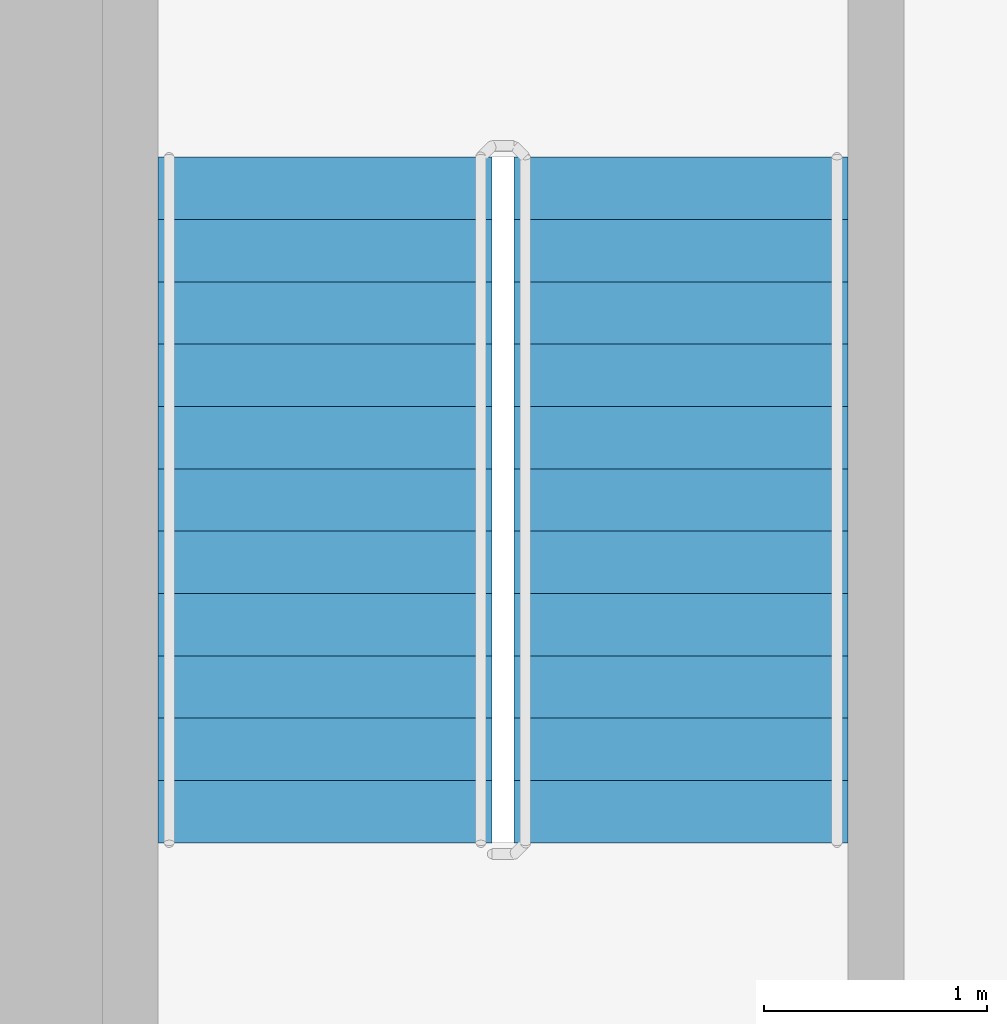
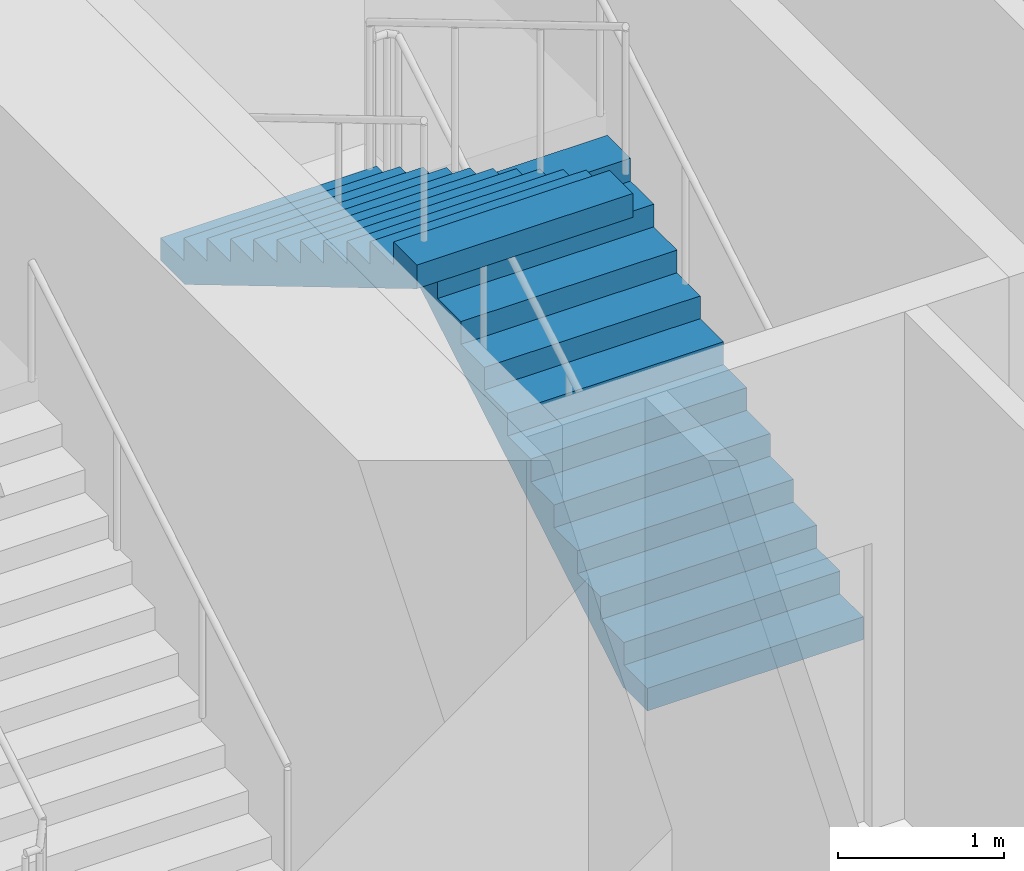
# One storey, part 18 of 27: 2 stair flights, 1 element without a shape of its own.
"""IFC4 building model written with IfcOpenShell, lengths in metres."""

import ifcopenshell
import ifcopenshell.guid

model = None  # the IFC model being written
_history = None  # IfcOwnerHistory: only IFC2X3 demands one
_inside = {}  # id of a spatial element -> (the spatial element, [elements in it])
_under = {}  # id of a project, library or spatial element -> (it, [spatial elements below it])
_declared = {}  # id of a project -> (the project, [libraries it declares])
_typed = {}  # id of a type object -> (the type object, [elements of that type])
_made_of = {}  # id of a material, layer set ... -> (it, [elements and type objects made of it])


def new_model(schema):
    """Start an empty IFC model of exactly this schema.

    Asked for "IFC4X3", IfcOpenShell would pick the latest addendum, in which some entities
    have other attributes; the version numbers below select the first issue.
    IFC2X3 requires an IfcOwnerHistory on every rooted entity: one is made here for all.
    """
    global model, _history
    if schema == "IFC4X3":
        model = ifcopenshell.file(schema_version=(4, 3, 0, 0))
    else:
        model = ifcopenshell.file(schema=schema)
    _inside.clear()
    _under.clear()
    _declared.clear()
    _typed.clear()
    _made_of.clear()
    _history = None
    if model.schema == "IFC2X3":
        org = make("IfcOrganization", Name="unknown")
        user = make(
            "IfcPersonAndOrganization",
            ThePerson=make("IfcPerson", FamilyName="unknown"),
            TheOrganization=org,
        )
        app = make(
            "IfcApplication",
            ApplicationDeveloper=org,
            Version="unknown",
            ApplicationFullName="unknown",
            ApplicationIdentifier="unknown",
        )
        _history = make(
            "IfcOwnerHistory",
            OwningUser=user,
            OwningApplication=app,
            ChangeAction="ADDED",
            CreationDate=0,
        )
    return model


def make(cls, **values):
    """One entity of the class cls with the attributes given. An attribute that is None is left unset."""
    return model.create_entity(
        cls, **{name: value for name, value in values.items() if value is not None}
    )


def rooted(cls, **values):
    """An entity with a GlobalId (a new one), such as an element, a storey or a relation."""
    return make(cls, GlobalId=ifcopenshell.guid.new(), OwnerHistory=_history, **values)


def si_unit(unit_type, name, prefix=None):
    """IfcSIUnit, for example si_unit("LENGTHUNIT", "METRE", prefix="MILLI")."""
    return make("IfcSIUnit", UnitType=unit_type, Prefix=prefix, Name=name)


def assignment(units):
    """IfcUnitAssignment: the units of a project."""
    return None if units is None else make("IfcUnitAssignment", Units=units)


def point(xyz):
    """IfcCartesianPoint."""
    return None if xyz is None else make("IfcCartesianPoint", Coordinates=xyz)


def direction(xyz):
    """IfcDirection."""
    return None if xyz is None else make("IfcDirection", DirectionRatios=xyz)


def frame(location, z_axis=None, x_axis=None):
    """IfcAxis2Placement3D, a coordinate frame: its origin and axes. An axis left out is left unset."""
    return make(
        "IfcAxis2Placement3D",
        Location=point(location),
        Axis=direction(z_axis),
        RefDirection=direction(x_axis),
    )


def origin():
    """The frame at (0, 0, 0) with its axes left unset."""
    return frame((0.0, 0.0, 0.0))


def place(relative_to, where):
    """IfcLocalPlacement: puts the frame where relative to a parent placement (None: the world)."""
    return make(
        "IfcLocalPlacement", PlacementRelTo=relative_to, RelativePlacement=where
    )


def context(
    kind, dimensions, precision=None, world=None, true_north=None, identifier=None
):
    """IfcGeometricRepresentationContext, for example the 3D "Model" context."""
    return make(
        "IfcGeometricRepresentationContext",
        ContextIdentifier=identifier,
        ContextType=kind,
        CoordinateSpaceDimension=dimensions,
        Precision=precision,
        WorldCoordinateSystem=world,
        TrueNorth=true_north,
    )


def subcontext(parent, identifier, kind, view, scale=None):
    """IfcGeometricRepresentationSubContext, for example "Body" below "Model"."""
    return make(
        "IfcGeometricRepresentationSubContext",
        ContextIdentifier=identifier,
        ContextType=kind,
        ParentContext=parent,
        TargetScale=scale,
        TargetView=view,
    )


def project(units=None, contexts=None):
    """IfcProject with its units and contexts."""
    return rooted(
        "IfcProject",
        Name="project",
        RepresentationContexts=contexts,
        UnitsInContext=assignment(units),
    )


def spatial(cls, under=None, at=None, **own):
    """A site, building, storey or space (cls), placed at a placement, below another one or the project."""
    s = rooted(cls, ObjectPlacement=at, **own)
    if under is not None:
        _under.setdefault(under.id(), (under, []))[1].append(s)
    return s


def point_list(points):
    """IfcCartesianPointList2D or 3D."""
    cls = (
        "IfcCartesianPointList2D" if len(points[0]) == 2 else "IfcCartesianPointList3D"
    )
    return make(cls, CoordList=points)


def triangles(points, corners, closed=None, point_numbers=None):
    """IfcTriangulatedFaceSet: each triangle names its three corners, points numbered from 1."""
    return make(
        "IfcTriangulatedFaceSet",
        Coordinates=point_list(points),
        Closed=closed,
        CoordIndex=corners,
        PnIndex=point_numbers,
    )


def shape(context_of_items, identifier, shape_type, items):
    """IfcShapeRepresentation: the items that make up one representation, for example the "Body"."""
    return make(
        "IfcShapeRepresentation",
        ContextOfItems=context_of_items,
        RepresentationIdentifier=identifier,
        RepresentationType=shape_type,
        Items=items,
    )


def source(mapping_origin, context_of_items, identifier, shape_type, items):
    """IfcRepresentationMap: a shape defined once, which mapped items show again and again."""
    return make(
        "IfcRepresentationMap",
        MappingOrigin=mapping_origin,
        MappedRepresentation=shape(context_of_items, identifier, shape_type, items),
    )


def transform(
    local_origin,
    x_axis=None,
    y_axis=None,
    z_axis=None,
    scale=None,
    scale2=None,
    scale3=None,
    uniform=True,
):
    """IfcCartesianTransformationOperator3D, or its non-uniform kind. x_axis, y_axis, z_axis: its Axis1, 2, 3."""
    if uniform:
        return make(
            "IfcCartesianTransformationOperator3D",
            Axis1=direction(x_axis),
            Axis2=direction(y_axis),
            LocalOrigin=point(local_origin),
            Scale=scale,
            Axis3=direction(z_axis),
        )
    return make(
        "IfcCartesianTransformationOperator3DnonUniform",
        Axis1=direction(x_axis),
        Axis2=direction(y_axis),
        LocalOrigin=point(local_origin),
        Scale=scale,
        Axis3=direction(z_axis),
        Scale2=scale2,
        Scale3=scale3,
    )


def mapped(mapping_source, mapping_target):
    """IfcMappedItem: shows the shape of a source again, moved by a transform."""
    return make(
        "IfcMappedItem", MappingSource=mapping_source, MappingTarget=mapping_target
    )


def material(Name=None, Category=None):
    """IfcMaterial."""
    return make("IfcMaterial", Name=Name, Category=Category)


def made_of(thing, what):
    """Note that an element or type object is made of a material, layer set ...; save() writes the relation."""
    if what is not None:
        _made_of.setdefault(what.id(), (what, []))[1].append(thing)
    return thing


def type_object(cls, material=None, **own):
    """A type object (cls), such as IfcWallType, which elements share."""
    return made_of(rooted(cls, **own), material)


def element(
    cls,
    number,
    at=None,
    inside=None,
    cuts=None,
    type_object=None,
    material=None,
    context=None,
    identifier="Body",
    shape_type=None,
    held_by="IfcProductDefinitionShape",
    body=None,
    shapes=None,
    **own,
):
    """One element of the class cls, such as IfcWall. Its Tag is "e" and its number.

    at: its placement. inside: the storey or other place that contains it. cuts: it is an
    opening in that element (IfcRelVoidsElement). A single representation is given by context,
    identifier, shape_type and body (its items); several are given by shapes. held_by: the class
    of the entity that holds the representations. save() writes the other relations.
    """
    e = rooted(cls, Tag="e%d" % number, ObjectPlacement=at, **own)
    if body is not None:
        shapes = [shape(context, identifier, shape_type, body)]
    if shapes is not None:
        e.Representation = make(held_by, Representations=shapes)
    if inside is not None:
        _inside.setdefault(inside.id(), (inside, []))[1].append(e)
    if cuts is not None:
        rooted(
            "IfcRelVoidsElement", RelatingBuildingElement=cuts, RelatedOpeningElement=e
        )
    if type_object is not None:
        _typed.setdefault(type_object.id(), (type_object, []))[1].append(e)
    return made_of(e, material)


def aggregate(whole, parts):
    """IfcRelAggregates: a whole, such as a stair, and the parts it consists of."""
    return rooted("IfcRelAggregates", RelatingObject=whole, RelatedObjects=parts)


def save(model, path):
    """Write the relations noted so far, then the file.

    IfcRelAggregates (storeys below a building ...), IfcRelContainedInSpatialStructure (elements
    in a storey), IfcRelDefinesByType, IfcRelAssociatesMaterial and IfcRelDeclares: one each for
    every whole, place, type object, material and project.
    """
    for whole, parts in _under.values():
        aggregate(whole, parts)
    for where, things in _inside.values():
        rooted(
            "IfcRelContainedInSpatialStructure",
            RelatedElements=things,
            RelatingStructure=where,
        )
    for kind, things in _typed.values():
        rooted("IfcRelDefinesByType", RelatedObjects=things, RelatingType=kind)
    for what, things in _made_of.values():
        rooted("IfcRelAssociatesMaterial", RelatedObjects=things, RelatingMaterial=what)
    for by, libraries in _declared.values():
        rooted("IfcRelDeclares", RelatingContext=by, RelatedDefinitions=libraries)
    model.write(path)


model = new_model("IFC4")

# Units and contexts
model_context = context("Model", 3, precision=1e-05, world=origin(), true_north=direction((0.0, 1.0)))
body_context = subcontext(model_context, "Body", "Model", "MODEL_VIEW")
ifc_project = project(units=[si_unit("LENGTHUNIT", "METRE"), si_unit("AREAUNIT", "SQUARE_METRE"), si_unit("VOLUMEUNIT", "CUBIC_METRE"), si_unit("PLANEANGLEUNIT", "RADIAN"), si_unit("MASSUNIT", "GRAM", prefix="KILO")], contexts=[model_context])

# Site, building, storey
site_placement = place(None, origin())
site = spatial("IfcSite", under=ifc_project, at=site_placement, CompositionType="ELEMENT")
building_placement = place(site_placement, origin())
building = spatial("IfcBuilding", under=site, at=building_placement, Name="Kilnfold Tower and Market Hall", CompositionType="ELEMENT")
storey_placement = place(building_placement, frame((0.0, 0.0, 43.0)))
storey = spatial("IfcBuildingStorey", under=building, at=storey_placement, Name="L09", CompositionType="ELEMENT", Elevation=43.0)

# Stair, stair flights
ifc_material_1 = material(Name="Concrete C40/50", Category="concrete")
stair_type = type_object("IfcStairType", Name="CORE STAIR 1500", PredefinedType="HALF_TURN_STAIR", material=ifc_material_1)
stair_placement = place(storey_placement, origin())
stair = element("IfcStair", 1, at=stair_placement, inside=storey, type_object=stair_type, Name="L09 ST5", PredefinedType="HALF_TURN_STAIR")
ifc_material_2 = material(Name="Concrete C40/50", Category="concrete")
stair_flight_type = type_object("IfcStairFlightType", Name="CORE STAIR FLIGHT 1500", PredefinedType="STRAIGHT", material=ifc_material_2)
shared_shape = source(origin(), body_context, "Body", "Tessellation", [
    triangles([(0.0, 0.75, 0.0), (0.0, 0.65625, 0.0), (0.0, 0.5625, 0.0), (0.0, 0.46875, 0.0), (0.0, 0.375, 0.0), (0.0, 0.28125, 0.0), (0.0, 0.1875, 0.0), (0.0, 0.09375, 0.0), (0.0, 0.0, 0.0), (0.0, -0.09375, 0.0), (0.0, -0.1875, 0.0), (0.0, -0.28125, 0.0), (0.0, -0.375, 0.0), (0.0, -0.46875, 0.0), (0.0, -0.5625, 0.0), (0.0, -0.65625, 0.0), (0.0, -0.75, 0.0), (0.0, 0.75, 0.166748046875), (0.0, 0.65625, 0.166748046875), (0.0, 0.5625, 0.166748046875), (0.0, 0.46875, 0.166748046875), (0.0, 0.375, 0.166748046875), (0.0, 0.28125, 0.166748046875), (0.0, 0.1875, 0.166748046875), (0.0, 0.09375, 0.166748046875), (0.0, 0.0, 0.166748046875), (0.0, -0.09375, 0.166748046875), (0.0, -0.1875, 0.166748046875), (0.0, -0.28125, 0.166748046875), (0.0, -0.375, 0.166748046875), (0.0, -0.46875, 0.166748046875), (0.0, -0.5625, 0.166748046875), (0.0, -0.65625, 0.166748046875), (0.0, -0.75, 0.166748046875), (0.280029296875, 0.75, 0.166748046875), (0.280029296875, 0.65625, 0.166748046875), (0.280029296875, 0.5625, 0.166748046875), (0.280029296875, 0.46875, 0.166748046875), (0.280029296875, 0.375, 0.166748046875), (0.280029296875, 0.28125, 0.166748046875), (0.280029296875, 0.1875, 0.166748046875), (0.280029296875, 0.09375, 0.166748046875), (0.280029296875, 0.0, 0.166748046875), (0.280029296875, -0.09375, 0.166748046875), (0.280029296875, -0.1875, 0.166748046875), (0.280029296875, -0.28125, 0.166748046875), (0.280029296875, -0.375, 0.166748046875), (0.280029296875, -0.46875, 0.166748046875), (0.280029296875, -0.5625, 0.166748046875), (0.280029296875, -0.65625, 0.166748046875), (0.280029296875, -0.75, 0.166748046875), (0.280029296875, 0.75, 0.333251953125), (0.280029296875, 0.65625, 0.333251953125), (0.280029296875, 0.5625, 0.333251953125), (0.280029296875, 0.46875, 0.333251953125), (0.280029296875, 0.375, 0.333251953125), (0.280029296875, 0.28125, 0.333251953125), (0.280029296875, 0.1875, 0.333251953125), (0.280029296875, 0.09375, 0.333251953125), (0.280029296875, 0.0, 0.333251953125), (0.280029296875, -0.09375, 0.333251953125), (0.280029296875, -0.1875, 0.333251953125), (0.280029296875, -0.28125, 0.333251953125), (0.280029296875, -0.375, 0.333251953125), (0.280029296875, -0.46875, 0.333251953125), (0.280029296875, -0.5625, 0.333251953125), (0.280029296875, -0.65625, 0.333251953125), (0.280029296875, -0.75, 0.333251953125), (0.56005859375, 0.75, 0.333251953125), (0.56005859375, 0.65625, 0.333251953125), (0.56005859375, 0.5625, 0.333251953125), (0.56005859375, 0.46875, 0.333251953125), (0.56005859375, 0.375, 0.333251953125), (0.56005859375, 0.28125, 0.333251953125), (0.56005859375, 0.1875, 0.333251953125), (0.56005859375, 0.09375, 0.333251953125), (0.56005859375, 0.0, 0.333251953125), (0.56005859375, -0.09375, 0.333251953125), (0.56005859375, -0.1875, 0.333251953125), (0.56005859375, -0.28125, 0.333251953125), (0.56005859375, -0.375, 0.333251953125), (0.56005859375, -0.46875, 0.333251953125), (0.56005859375, -0.5625, 0.333251953125), (0.56005859375, -0.65625, 0.333251953125), (0.56005859375, -0.75, 0.333251953125), (0.56005859375, 0.75, 0.5), (0.56005859375, 0.65625, 0.5), (0.56005859375, 0.5625, 0.5), (0.56005859375, 0.46875, 0.5), (0.56005859375, 0.375, 0.5), (0.56005859375, 0.28125, 0.5), (0.56005859375, 0.1875, 0.5), (0.56005859375, 0.09375, 0.5), (0.56005859375, 0.0, 0.5), (0.56005859375, -0.09375, 0.5), (0.56005859375, -0.1875, 0.5), (0.56005859375, -0.28125, 0.5), (0.56005859375, -0.375, 0.5), (0.56005859375, -0.46875, 0.5), (0.56005859375, -0.5625, 0.5), (0.56005859375, -0.65625, 0.5), (0.56005859375, -0.75, 0.5), (0.840087890625, 0.75, 0.5), (0.840087890625, 0.65625, 0.5), (0.840087890625, 0.5625, 0.5), (0.840087890625, 0.46875, 0.5), (0.840087890625, 0.375, 0.5), (0.840087890625, 0.28125, 0.5), (0.840087890625, 0.1875, 0.5), (0.840087890625, 0.09375, 0.5), (0.840087890625, 0.0, 0.5), (0.840087890625, -0.09375, 0.5), (0.840087890625, -0.1875, 0.5), (0.840087890625, -0.28125, 0.5), (0.840087890625, -0.375, 0.5), (0.840087890625, -0.46875, 0.5), (0.840087890625, -0.5625, 0.5), (0.840087890625, -0.65625, 0.5), (0.840087890625, -0.75, 0.5), (0.840087890625, 0.75, 0.666748046875), (0.840087890625, 0.65625, 0.666748046875), (0.840087890625, 0.5625, 0.666748046875), (0.840087890625, 0.46875, 0.666748046875), (0.840087890625, 0.375, 0.666748046875), (0.840087890625, 0.28125, 0.666748046875), (0.840087890625, 0.1875, 0.666748046875), (0.840087890625, 0.09375, 0.666748046875), (0.840087890625, 0.0, 0.666748046875), (0.840087890625, -0.09375, 0.666748046875), (0.840087890625, -0.1875, 0.666748046875), (0.840087890625, -0.28125, 0.666748046875), (0.840087890625, -0.375, 0.666748046875), (0.840087890625, -0.46875, 0.666748046875), (0.840087890625, -0.5625, 0.666748046875), (0.840087890625, -0.65625, 0.666748046875), (0.840087890625, -0.75, 0.666748046875), (1.1201171875, 0.75, 0.666748046875), (1.1201171875, 0.65625, 0.666748046875), (1.1201171875, 0.5625, 0.666748046875), (1.1201171875, 0.46875, 0.666748046875), (1.1201171875, 0.375, 0.666748046875), (1.1201171875, 0.28125, 0.666748046875), (1.1201171875, 0.1875, 0.666748046875), (1.1201171875, 0.09375, 0.666748046875), (1.1201171875, 0.0, 0.666748046875), (1.1201171875, -0.09375, 0.666748046875), (1.1201171875, -0.1875, 0.666748046875), (1.1201171875, -0.28125, 0.666748046875), (1.1201171875, -0.375, 0.666748046875), (1.1201171875, -0.46875, 0.666748046875), (1.1201171875, -0.5625, 0.666748046875), (1.1201171875, -0.65625, 0.666748046875), (1.1201171875, -0.75, 0.666748046875), (1.1201171875, 0.75, 0.833251953125), (1.1201171875, 0.65625, 0.833251953125), (1.1201171875, 0.5625, 0.833251953125), (1.1201171875, 0.46875, 0.833251953125), (1.1201171875, 0.375, 0.833251953125), (1.1201171875, 0.28125, 0.833251953125), (1.1201171875, 0.1875, 0.833251953125), (1.1201171875, 0.09375, 0.833251953125), (1.1201171875, 0.0, 0.833251953125), (1.1201171875, -0.09375, 0.833251953125), (1.1201171875, -0.1875, 0.833251953125), (1.1201171875, -0.28125, 0.833251953125), (1.1201171875, -0.375, 0.833251953125), (1.1201171875, -0.46875, 0.833251953125), (1.1201171875, -0.5625, 0.833251953125), (1.1201171875, -0.65625, 0.833251953125), (1.1201171875, -0.75, 0.833251953125), (1.39990234375, 0.75, 0.833251953125), (1.39990234375, 0.65625, 0.833251953125), (1.39990234375, 0.5625, 0.833251953125), (1.39990234375, 0.46875, 0.833251953125), (1.39990234375, 0.375, 0.833251953125), (1.39990234375, 0.28125, 0.833251953125), (1.39990234375, 0.1875, 0.833251953125), (1.39990234375, 0.09375, 0.833251953125), (1.39990234375, 0.0, 0.833251953125), (1.39990234375, -0.09375, 0.833251953125), (1.39990234375, -0.1875, 0.833251953125), (1.39990234375, -0.28125, 0.833251953125), (1.39990234375, -0.375, 0.833251953125), (1.39990234375, -0.46875, 0.833251953125), (1.39990234375, -0.5625, 0.833251953125), (1.39990234375, -0.65625, 0.833251953125), (1.39990234375, -0.75, 0.833251953125), (1.39990234375, 0.75, 1.0), (1.39990234375, 0.65625, 1.0), (1.39990234375, 0.5625, 1.0), (1.39990234375, 0.46875, 1.0), (1.39990234375, 0.375, 1.0), (1.39990234375, 0.28125, 1.0), (1.39990234375, 0.1875, 1.0), (1.39990234375, 0.09375, 1.0), (1.39990234375, 0.0, 1.0), (1.39990234375, -0.09375, 1.0), (1.39990234375, -0.1875, 1.0), (1.39990234375, -0.28125, 1.0), (1.39990234375, -0.375, 1.0), (1.39990234375, -0.46875, 1.0), (1.39990234375, -0.5625, 1.0), (1.39990234375, -0.65625, 1.0), (1.39990234375, -0.75, 1.0), (1.679931640625, 0.75, 1.0), (1.679931640625, 0.65625, 1.0), (1.679931640625, 0.5625, 1.0), (1.679931640625, 0.46875, 1.0), (1.679931640625, 0.375, 1.0), (1.679931640625, 0.28125, 1.0), (1.679931640625, 0.1875, 1.0), (1.679931640625, 0.09375, 1.0), (1.679931640625, 0.0, 1.0), (1.679931640625, -0.09375, 1.0), (1.679931640625, -0.1875, 1.0), (1.679931640625, -0.28125, 1.0), (1.679931640625, -0.375, 1.0), (1.679931640625, -0.46875, 1.0), (1.679931640625, -0.5625, 1.0), (1.679931640625, -0.65625, 1.0), (1.679931640625, -0.75, 1.0), (1.679931640625, 0.75, 1.166748046875), (1.679931640625, 0.65625, 1.166748046875), (1.679931640625, 0.5625, 1.166748046875), (1.679931640625, 0.46875, 1.166748046875), (1.679931640625, 0.375, 1.166748046875), (1.679931640625, 0.28125, 1.166748046875), (1.679931640625, 0.1875, 1.166748046875), (1.679931640625, 0.09375, 1.166748046875), (1.679931640625, 0.0, 1.166748046875), (1.679931640625, -0.09375, 1.166748046875), (1.679931640625, -0.1875, 1.166748046875), (1.679931640625, -0.28125, 1.166748046875), (1.679931640625, -0.375, 1.166748046875), (1.679931640625, -0.46875, 1.166748046875), (1.679931640625, -0.5625, 1.166748046875), (1.679931640625, -0.65625, 1.166748046875), (1.679931640625, -0.75, 1.166748046875), (1.9599609375, 0.75, 1.166748046875), (1.9599609375, 0.65625, 1.166748046875), (1.9599609375, 0.5625, 1.166748046875), (1.9599609375, 0.46875, 1.166748046875), (1.9599609375, 0.375, 1.166748046875), (1.9599609375, 0.28125, 1.166748046875), (1.9599609375, 0.1875, 1.166748046875), (1.9599609375, 0.09375, 1.166748046875), (1.9599609375, 0.0, 1.166748046875), (1.9599609375, -0.09375, 1.166748046875), (1.9599609375, -0.1875, 1.166748046875), (1.9599609375, -0.28125, 1.166748046875), (1.9599609375, -0.375, 1.166748046875), (1.9599609375, -0.46875, 1.166748046875), (1.9599609375, -0.5625, 1.166748046875), (1.9599609375, -0.65625, 1.166748046875), (1.9599609375, -0.75, 1.166748046875), (1.9599609375, 0.75, 1.333251953125), (1.9599609375, 0.65625, 1.333251953125), (1.9599609375, 0.5625, 1.333251953125), (1.9599609375, 0.46875, 1.333251953125), (1.9599609375, 0.375, 1.333251953125), (1.9599609375, 0.28125, 1.333251953125), (1.9599609375, 0.1875, 1.333251953125), (1.9599609375, 0.09375, 1.333251953125), (1.9599609375, 0.0, 1.333251953125), (1.9599609375, -0.09375, 1.333251953125), (1.9599609375, -0.1875, 1.333251953125), (1.9599609375, -0.28125, 1.333251953125), (1.9599609375, -0.375, 1.333251953125), (1.9599609375, -0.46875, 1.333251953125), (1.9599609375, -0.5625, 1.333251953125), (1.9599609375, -0.65625, 1.333251953125), (1.9599609375, -0.75, 1.333251953125), (2.239990234375, 0.75, 1.333251953125), (2.239990234375, 0.65625, 1.333251953125), (2.239990234375, 0.5625, 1.333251953125), (2.239990234375, 0.46875, 1.333251953125), (2.239990234375, 0.375, 1.333251953125), (2.239990234375, 0.28125, 1.333251953125), (2.239990234375, 0.1875, 1.333251953125), (2.239990234375, 0.09375, 1.333251953125), (2.239990234375, 0.0, 1.333251953125), (2.239990234375, -0.09375, 1.333251953125), (2.239990234375, -0.1875, 1.333251953125), (2.239990234375, -0.28125, 1.333251953125), (2.239990234375, -0.375, 1.333251953125), (2.239990234375, -0.46875, 1.333251953125), (2.239990234375, -0.5625, 1.333251953125), (2.239990234375, -0.65625, 1.333251953125), (2.239990234375, -0.75, 1.333251953125), (2.239990234375, 0.75, 1.5), (2.239990234375, 0.65625, 1.5), (2.239990234375, 0.5625, 1.5), (2.239990234375, 0.46875, 1.5), (2.239990234375, 0.375, 1.5), (2.239990234375, 0.28125, 1.5), (2.239990234375, 0.1875, 1.5), (2.239990234375, 0.09375, 1.5), (2.239990234375, 0.0, 1.5), (2.239990234375, -0.09375, 1.5), (2.239990234375, -0.1875, 1.5), (2.239990234375, -0.28125, 1.5), (2.239990234375, -0.375, 1.5), (2.239990234375, -0.46875, 1.5), (2.239990234375, -0.5625, 1.5), (2.239990234375, -0.65625, 1.5), (2.239990234375, -0.75, 1.5), (2.52001953125, 0.75, 1.5), (2.52001953125, 0.65625, 1.5), (2.52001953125, 0.5625, 1.5), (2.52001953125, 0.46875, 1.5), (2.52001953125, 0.375, 1.5), (2.52001953125, 0.28125, 1.5), (2.52001953125, 0.1875, 1.5), (2.52001953125, 0.09375, 1.5), (2.52001953125, 0.0, 1.5), (2.52001953125, -0.09375, 1.5), (2.52001953125, -0.1875, 1.5), (2.52001953125, -0.28125, 1.5), (2.52001953125, -0.375, 1.5), (2.52001953125, -0.46875, 1.5), (2.52001953125, -0.5625, 1.5), (2.52001953125, -0.65625, 1.5), (2.52001953125, -0.75, 1.5), (2.52001953125, 0.75, 1.666748046875), (2.52001953125, 0.65625, 1.666748046875), (2.52001953125, 0.5625, 1.666748046875), (2.52001953125, 0.46875, 1.666748046875), (2.52001953125, 0.375, 1.666748046875), (2.52001953125, 0.28125, 1.666748046875), (2.52001953125, 0.1875, 1.666748046875), (2.52001953125, 0.09375, 1.666748046875), (2.52001953125, 0.0, 1.666748046875), (2.52001953125, -0.09375, 1.666748046875), (2.52001953125, -0.1875, 1.666748046875), (2.52001953125, -0.28125, 1.666748046875), (2.52001953125, -0.375, 1.666748046875), (2.52001953125, -0.46875, 1.666748046875), (2.52001953125, -0.5625, 1.666748046875), (2.52001953125, -0.65625, 1.666748046875), (2.52001953125, -0.75, 1.666748046875), (2.800048828125, 0.75, 1.666748046875), (2.800048828125, 0.65625, 1.666748046875), (2.800048828125, 0.5625, 1.666748046875), (2.800048828125, 0.46875, 1.666748046875), (2.800048828125, 0.375, 1.666748046875), (2.800048828125, 0.28125, 1.666748046875), (2.800048828125, 0.1875, 1.666748046875), (2.800048828125, 0.09375, 1.666748046875), (2.800048828125, 0.0, 1.666748046875), (2.800048828125, -0.09375, 1.666748046875), (2.800048828125, -0.1875, 1.666748046875), (2.800048828125, -0.28125, 1.666748046875), (2.800048828125, -0.375, 1.666748046875), (2.800048828125, -0.46875, 1.666748046875), (2.800048828125, -0.5625, 1.666748046875), (2.800048828125, -0.65625, 1.666748046875), (2.800048828125, -0.75, 1.666748046875), (2.800048828125, 0.75, 1.833251953125), (2.800048828125, 0.65625, 1.833251953125), (2.800048828125, 0.5625, 1.833251953125), (2.800048828125, 0.46875, 1.833251953125), (2.800048828125, 0.375, 1.833251953125), (2.800048828125, 0.28125, 1.833251953125), (2.800048828125, 0.1875, 1.833251953125), (2.800048828125, 0.09375, 1.833251953125), (2.800048828125, 0.0, 1.833251953125), (2.800048828125, -0.09375, 1.833251953125), (2.800048828125, -0.1875, 1.833251953125), (2.800048828125, -0.28125, 1.833251953125), (2.800048828125, -0.375, 1.833251953125), (2.800048828125, -0.46875, 1.833251953125), (2.800048828125, -0.5625, 1.833251953125), (2.800048828125, -0.65625, 1.833251953125), (2.800048828125, -0.75, 1.833251953125), (3.080078125, 0.75, 1.833251953125), (3.080078125, 0.65625, 1.833251953125), (3.080078125, 0.5625, 1.833251953125), (3.080078125, 0.46875, 1.833251953125), (3.080078125, 0.375, 1.833251953125), (3.080078125, 0.28125, 1.833251953125), (3.080078125, 0.1875, 1.833251953125), (3.080078125, 0.09375, 1.833251953125), (3.080078125, 0.0, 1.833251953125), (3.080078125, -0.09375, 1.833251953125), (3.080078125, -0.1875, 1.833251953125), (3.080078125, -0.28125, 1.833251953125), (3.080078125, -0.375, 1.833251953125), (3.080078125, -0.46875, 1.833251953125), (3.080078125, -0.5625, 1.833251953125), (3.080078125, -0.65625, 1.833251953125), (3.080078125, -0.75, 1.833251953125), (3.080078125, 0.75, 1.658935546875), (3.080078125, 0.65625, 1.658935546875), (3.080078125, 0.5625, 1.658935546875), (3.080078125, 0.46875, 1.658935546875), (3.080078125, 0.375, 1.658935546875), (3.080078125, 0.28125, 1.658935546875), (3.080078125, 0.1875, 1.658935546875), (3.080078125, 0.09375, 1.658935546875), (3.080078125, 0.0, 1.658935546875), (3.080078125, -0.09375, 1.658935546875), (3.080078125, -0.1875, 1.658935546875), (3.080078125, -0.28125, 1.658935546875), (3.080078125, -0.375, 1.658935546875), (3.080078125, -0.46875, 1.658935546875), (3.080078125, -0.5625, 1.658935546875), (3.080078125, -0.65625, 1.658935546875), (3.080078125, -0.75, 1.658935546875), (0.29296875, 0.75, 0.0), (0.29296875, 0.65625, 0.0), (0.29296875, 0.5625, 0.0), (0.29296875, 0.46875, 0.0), (0.29296875, 0.375, 0.0), (0.29296875, 0.28125, 0.0), (0.29296875, 0.1875, 0.0), (0.29296875, 0.09375, 0.0), (0.29296875, 0.0, 0.0), (0.29296875, -0.09375, 0.0), (0.29296875, -0.1875, 0.0), (0.29296875, -0.28125, 0.0), (0.29296875, -0.375, 0.0), (0.29296875, -0.46875, 0.0), (0.29296875, -0.5625, 0.0), (0.29296875, -0.65625, 0.0), (0.29296875, -0.75, 0.0)], [[1, 392, 409], [17, 425, 408], [392, 358, 375], [408, 391, 374], [392, 341, 358], [408, 374, 357], [392, 324, 341], [408, 357, 340], [392, 307, 324], [408, 340, 323], [307, 273, 290], [323, 306, 289], [392, 273, 307], [408, 323, 289], [273, 239, 256], [289, 272, 255], [392, 239, 273], [408, 289, 255], [239, 205, 222], [255, 238, 221], [392, 205, 239], [408, 255, 221], [205, 171, 188], [221, 204, 187], [392, 171, 205], [408, 221, 187], [171, 137, 154], [187, 170, 153], [392, 137, 171], [408, 187, 153], [137, 103, 120], [153, 136, 119], [392, 103, 137], [408, 153, 119], [103, 69, 86], [119, 102, 85], [392, 69, 103], [408, 119, 85], [1, 69, 392], [17, 408, 85], [69, 35, 52], [85, 68, 51], [1, 35, 69], [17, 85, 51], [35, 1, 18], [51, 34, 17], [1, 19, 18], [1, 2, 19], [2, 20, 19], [2, 3, 20], [3, 21, 20], [3, 4, 21], [4, 22, 21], [4, 5, 22], [5, 23, 22], [5, 6, 23], [6, 24, 23], [6, 7, 24], [7, 25, 24], [7, 8, 25], [8, 26, 25], [8, 9, 26], [9, 27, 26], [9, 10, 27], [10, 28, 27], [10, 11, 28], [11, 29, 28], [11, 12, 29], [12, 30, 29], [12, 13, 30], [13, 31, 30], [13, 14, 31], [14, 32, 31], [14, 15, 32], [15, 33, 32], [15, 16, 33], [16, 34, 33], [16, 17, 34], [18, 36, 35], [18, 19, 36], [19, 37, 36], [19, 20, 37], [20, 38, 37], [20, 21, 38], [21, 39, 38], [21, 22, 39], [22, 40, 39], [22, 23, 40], [23, 41, 40], [23, 24, 41], [24, 42, 41], [24, 25, 42], [25, 43, 42], [25, 26, 43], [26, 44, 43], [26, 27, 44], [27, 45, 44], [27, 28, 45], [28, 46, 45], [28, 29, 46], [29, 47, 46], [29, 30, 47], [30, 48, 47], [30, 31, 48], [31, 49, 48], [31, 32, 49], [32, 50, 49], [32, 33, 50], [33, 51, 50], [33, 34, 51], [35, 53, 52], [35, 36, 53], [36, 54, 53], [36, 37, 54], [37, 55, 54], [37, 38, 55], [38, 56, 55], [38, 39, 56], [39, 57, 56], [39, 40, 57], [40, 58, 57], [40, 41, 58], [41, 59, 58], [41, 42, 59], [42, 60, 59], [42, 43, 60], [43, 61, 60], [43, 44, 61], [44, 62, 61], [44, 45, 62], [45, 63, 62], [45, 46, 63], [46, 64, 63], [46, 47, 64], [47, 65, 64], [47, 48, 65], [48, 66, 65], [48, 49, 66], [49, 67, 66], [49, 50, 67], [50, 68, 67], [50, 51, 68], [52, 70, 69], [52, 53, 70], [53, 71, 70], [53, 54, 71], [54, 72, 71], [54, 55, 72], [55, 73, 72], [55, 56, 73], [56, 74, 73], [56, 57, 74], [57, 75, 74], [57, 58, 75], [58, 76, 75], [58, 59, 76], [59, 77, 76], [59, 60, 77], [60, 78, 77], [60, 61, 78], [61, 79, 78], [61, 62, 79], [62, 80, 79], [62, 63, 80], [63, 81, 80], [63, 64, 81], [64, 82, 81], [64, 65, 82], [65, 83, 82], [65, 66, 83], [66, 84, 83], [66, 67, 84], [67, 85, 84], [67, 68, 85], [69, 87, 86], [69, 70, 87], [70, 88, 87], [70, 71, 88], [71, 89, 88], [71, 72, 89], [72, 90, 89], [72, 73, 90], [73, 91, 90], [73, 74, 91], [74, 92, 91], [74, 75, 92], [75, 93, 92], [75, 76, 93], [76, 94, 93], [76, 77, 94], [77, 95, 94], [77, 78, 95], [78, 96, 95], [78, 79, 96], [79, 97, 96], [79, 80, 97], [80, 98, 97], [80, 81, 98], [81, 99, 98], [81, 82, 99], [82, 100, 99], [82, 83, 100], [83, 101, 100], [83, 84, 101], [84, 102, 101], [84, 85, 102], [86, 104, 103], [86, 87, 104], [87, 105, 104], [87, 88, 105], [88, 106, 105], [88, 89, 106], [89, 107, 106], [89, 90, 107], [90, 108, 107], [90, 91, 108], [91, 109, 108], [91, 92, 109], [92, 110, 109], [92, 93, 110], [93, 111, 110], [93, 94, 111], [94, 112, 111], [94, 95, 112], [95, 113, 112], [95, 96, 113], [96, 114, 113], [96, 97, 114], [97, 115, 114], [97, 98, 115], [98, 116, 115], [98, 99, 116], [99, 117, 116], [99, 100, 117], [100, 118, 117], [100, 101, 118], [101, 119, 118], [101, 102, 119], [103, 121, 120], [103, 104, 121], [104, 122, 121], [104, 105, 122], [105, 123, 122], [105, 106, 123], [106, 124, 123], [106, 107, 124], [107, 125, 124], [107, 108, 125], [108, 126, 125], [108, 109, 126], [109, 127, 126], [109, 110, 127], [110, 128, 127], [110, 111, 128], [111, 129, 128], [111, 112, 129], [112, 130, 129], [112, 113, 130], [113, 131, 130], [113, 114, 131], [114, 132, 131], [114, 115, 132], [115, 133, 132], [115, 116, 133], [116, 134, 133], [116, 117, 134], [117, 135, 134], [117, 118, 135], [118, 136, 135], [118, 119, 136], [120, 138, 137], [120, 121, 138], [121, 139, 138], [121, 122, 139], [122, 140, 139], [122, 123, 140], [123, 141, 140], [123, 124, 141], [124, 142, 141], [124, 125, 142], [125, 143, 142], [125, 126, 143], [126, 144, 143], [126, 127, 144], [127, 145, 144], [127, 128, 145], [128, 146, 145], [128, 129, 146], [129, 147, 146], [129, 130, 147], [130, 148, 147], [130, 131, 148], [131, 149, 148], [131, 132, 149], [132, 150, 149], [132, 133, 150], [133, 151, 150], [133, 134, 151], [134, 152, 151], [134, 135, 152], [135, 153, 152], [135, 136, 153], [137, 155, 154], [137, 138, 155], [138, 156, 155], [138, 139, 156], [139, 157, 156], [139, 140, 157], [140, 158, 157], [140, 141, 158], [141, 159, 158], [141, 142, 159], [142, 160, 159], [142, 143, 160], [143, 161, 160], [143, 144, 161], [144, 162, 161], [144, 145, 162], [145, 163, 162], [145, 146, 163], [146, 164, 163], [146, 147, 164], [147, 165, 164], [147, 148, 165], [148, 166, 165], [148, 149, 166], [149, 167, 166], [149, 150, 167], [150, 168, 167], [150, 151, 168], [151, 169, 168], [151, 152, 169], [152, 170, 169], [152, 153, 170], [154, 172, 171], [154, 155, 172], [155, 173, 172], [155, 156, 173], [156, 174, 173], [156, 157, 174], [157, 175, 174], [157, 158, 175], [158, 176, 175], [158, 159, 176], [159, 177, 176], [159, 160, 177], [160, 178, 177], [160, 161, 178], [161, 179, 178], [161, 162, 179], [162, 180, 179], [162, 163, 180], [163, 181, 180], [163, 164, 181], [164, 182, 181], [164, 165, 182], [165, 183, 182], [165, 166, 183], [166, 184, 183], [166, 167, 184], [167, 185, 184], [167, 168, 185], [168, 186, 185], [168, 169, 186], [169, 187, 186], [169, 170, 187], [171, 189, 188], [171, 172, 189], [172, 190, 189], [172, 173, 190], [173, 191, 190], [173, 174, 191], [174, 192, 191], [174, 175, 192], [175, 193, 192], [175, 176, 193], [176, 194, 193], [176, 177, 194], [177, 195, 194], [177, 178, 195], [178, 196, 195], [178, 179, 196], [179, 197, 196], [179, 180, 197], [180, 198, 197], [180, 181, 198], [181, 199, 198], [181, 182, 199], [182, 200, 199], [182, 183, 200], [183, 201, 200], [183, 184, 201], [184, 202, 201], [184, 185, 202], [185, 203, 202], [185, 186, 203], [186, 204, 203], [186, 187, 204], [188, 206, 205], [188, 189, 206], [189, 207, 206], [189, 190, 207], [190, 208, 207], [190, 191, 208], [191, 209, 208], [191, 192, 209], [192, 210, 209], [192, 193, 210], [193, 211, 210], [193, 194, 211], [194, 212, 211], [194, 195, 212], [195, 213, 212], [195, 196, 213], [196, 214, 213], [196, 197, 214], [197, 215, 214], [197, 198, 215], [198, 216, 215], [198, 199, 216], [199, 217, 216], [199, 200, 217], [200, 218, 217], [200, 201, 218], [201, 219, 218], [201, 202, 219], [202, 220, 219], [202, 203, 220], [203, 221, 220], [203, 204, 221], [205, 223, 222], [205, 206, 223], [206, 224, 223], [206, 207, 224], [207, 225, 224], [207, 208, 225], [208, 226, 225], [208, 209, 226], [209, 227, 226], [209, 210, 227], [210, 228, 227], [210, 211, 228], [211, 229, 228], [211, 212, 229], [212, 230, 229], [212, 213, 230], [213, 231, 230], [213, 214, 231], [214, 232, 231], [214, 215, 232], [215, 233, 232], [215, 216, 233], [216, 234, 233], [216, 217, 234], [217, 235, 234], [217, 218, 235], [218, 236, 235], [218, 219, 236], [219, 237, 236], [219, 220, 237], [220, 238, 237], [220, 221, 238], [222, 240, 239], [222, 223, 240], [223, 241, 240], [223, 224, 241], [224, 242, 241], [224, 225, 242], [225, 243, 242], [225, 226, 243], [226, 244, 243], [226, 227, 244], [227, 245, 244], [227, 228, 245], [228, 246, 245], [228, 229, 246], [229, 247, 246], [229, 230, 247], [230, 248, 247], [230, 231, 248], [231, 249, 248], [231, 232, 249], [232, 250, 249], [232, 233, 250], [233, 251, 250], [233, 234, 251], [234, 252, 251], [234, 235, 252], [235, 253, 252], [235, 236, 253], [236, 254, 253], [236, 237, 254], [237, 255, 254], [237, 238, 255], [239, 257, 256], [239, 240, 257], [240, 258, 257], [240, 241, 258], [241, 259, 258], [241, 242, 259], [242, 260, 259], [242, 243, 260], [243, 261, 260], [243, 244, 261], [244, 262, 261], [244, 245, 262], [245, 263, 262], [245, 246, 263], [246, 264, 263], [246, 247, 264], [247, 265, 264], [247, 248, 265], [248, 266, 265], [248, 249, 266], [249, 267, 266], [249, 250, 267], [250, 268, 267], [250, 251, 268], [251, 269, 268], [251, 252, 269], [252, 270, 269], [252, 253, 270], [253, 271, 270], [253, 254, 271], [254, 272, 271], [254, 255, 272], [256, 274, 273], [256, 257, 274], [257, 275, 274], [257, 258, 275], [258, 276, 275], [258, 259, 276], [259, 277, 276], [259, 260, 277], [260, 278, 277], [260, 261, 278], [261, 279, 278], [261, 262, 279], [262, 280, 279], [262, 263, 280], [263, 281, 280], [263, 264, 281], [264, 282, 281], [264, 265, 282], [265, 283, 282], [265, 266, 283], [266, 284, 283], [266, 267, 284], [267, 285, 284], [267, 268, 285], [268, 286, 285], [268, 269, 286], [269, 287, 286], [269, 270, 287], [270, 288, 287], [270, 271, 288], [271, 289, 288], [271, 272, 289], [273, 291, 290], [273, 274, 291], [274, 292, 291], [274, 275, 292], [275, 293, 292], [275, 276, 293], [276, 294, 293], [276, 277, 294], [277, 295, 294], [277, 278, 295], [278, 296, 295], [278, 279, 296], [279, 297, 296], [279, 280, 297], [280, 298, 297], [280, 281, 298], [281, 299, 298], [281, 282, 299], [282, 300, 299], [282, 283, 300], [283, 301, 300], [283, 284, 301], [284, 302, 301], [284, 285, 302], [285, 303, 302], [285, 286, 303], [286, 304, 303], [286, 287, 304], [287, 305, 304], [287, 288, 305], [288, 306, 305], [288, 289, 306], [290, 308, 307], [290, 291, 308], [291, 309, 308], [291, 292, 309], [292, 310, 309], [292, 293, 310], [293, 311, 310], [293, 294, 311], [294, 312, 311], [294, 295, 312], [295, 313, 312], [295, 296, 313], [296, 314, 313], [296, 297, 314], [297, 315, 314], [297, 298, 315], [298, 316, 315], [298, 299, 316], [299, 317, 316], [299, 300, 317], [300, 318, 317], [300, 301, 318], [301, 319, 318], [301, 302, 319], [302, 320, 319], [302, 303, 320], [303, 321, 320], [303, 304, 321], [304, 322, 321], [304, 305, 322], [305, 323, 322], [305, 306, 323], [307, 325, 324], [307, 308, 325], [308, 326, 325], [308, 309, 326], [309, 327, 326], [309, 310, 327], [310, 328, 327], [310, 311, 328], [311, 329, 328], [311, 312, 329], [312, 330, 329], [312, 313, 330], [313, 331, 330], [313, 314, 331], [314, 332, 331], [314, 315, 332], [315, 333, 332], [315, 316, 333], [316, 334, 333], [316, 317, 334], [317, 335, 334], [317, 318, 335], [318, 336, 335], [318, 319, 336], [319, 337, 336], [319, 320, 337], [320, 338, 337], [320, 321, 338], [321, 339, 338], [321, 322, 339], [322, 340, 339], [322, 323, 340], [324, 342, 341], [324, 325, 342], [325, 343, 342], [325, 326, 343], [326, 344, 343], [326, 327, 344], [327, 345, 344], [327, 328, 345], [328, 346, 345], [328, 329, 346], [329, 347, 346], [329, 330, 347], [330, 348, 347], [330, 331, 348], [331, 349, 348], [331, 332, 349], [332, 350, 349], [332, 333, 350], [333, 351, 350], [333, 334, 351], [334, 352, 351], [334, 335, 352], [335, 353, 352], [335, 336, 353], [336, 354, 353], [336, 337, 354], [337, 355, 354], [337, 338, 355], [338, 356, 355], [338, 339, 356], [339, 357, 356], [339, 340, 357], [341, 359, 358], [341, 342, 359], [342, 360, 359], [342, 343, 360], [343, 361, 360], [343, 344, 361], [344, 362, 361], [344, 345, 362], [345, 363, 362], [345, 346, 363], [346, 364, 363], [346, 347, 364], [347, 365, 364], [347, 348, 365], [348, 366, 365], [348, 349, 366], [349, 367, 366], [349, 350, 367], [350, 368, 367], [350, 351, 368], [351, 369, 368], [351, 352, 369], [352, 370, 369], [352, 353, 370], [353, 371, 370], [353, 354, 371], [354, 372, 371], [354, 355, 372], [355, 373, 372], [355, 356, 373], [356, 374, 373], [356, 357, 374], [358, 376, 375], [358, 359, 376], [359, 377, 376], [359, 360, 377], [360, 378, 377], [360, 361, 378], [361, 379, 378], [361, 362, 379], [362, 380, 379], [362, 363, 380], [363, 381, 380], [363, 364, 381], [364, 382, 381], [364, 365, 382], [365, 383, 382], [365, 366, 383], [366, 384, 383], [366, 367, 384], [367, 385, 384], [367, 368, 385], [368, 386, 385], [368, 369, 386], [369, 387, 386], [369, 370, 387], [370, 388, 387], [370, 371, 388], [371, 389, 388], [371, 372, 389], [372, 390, 389], [372, 373, 390], [373, 391, 390], [373, 374, 391], [375, 393, 392], [375, 376, 393], [376, 394, 393], [376, 377, 394], [377, 395, 394], [377, 378, 395], [378, 396, 395], [378, 379, 396], [379, 397, 396], [379, 380, 397], [380, 398, 397], [380, 381, 398], [381, 399, 398], [381, 382, 399], [382, 400, 399], [382, 383, 400], [383, 401, 400], [383, 384, 401], [384, 402, 401], [384, 385, 402], [385, 403, 402], [385, 386, 403], [386, 404, 403], [386, 387, 404], [387, 405, 404], [387, 388, 405], [388, 406, 405], [388, 389, 406], [389, 407, 406], [389, 390, 407], [390, 408, 407], [390, 391, 408], [392, 410, 409], [392, 393, 410], [393, 411, 410], [393, 394, 411], [394, 412, 411], [394, 395, 412], [395, 413, 412], [395, 396, 413], [396, 414, 413], [396, 397, 414], [397, 415, 414], [397, 398, 415], [398, 416, 415], [398, 399, 416], [399, 417, 416], [399, 400, 417], [400, 418, 417], [400, 401, 418], [401, 419, 418], [401, 402, 419], [402, 420, 419], [402, 403, 420], [403, 421, 420], [403, 404, 421], [404, 422, 421], [404, 405, 422], [405, 423, 422], [405, 406, 423], [406, 424, 423], [406, 407, 424], [407, 425, 424], [407, 408, 425], [409, 2, 1], [409, 410, 2], [410, 3, 2], [410, 411, 3], [411, 4, 3], [411, 412, 4], [412, 5, 4], [412, 413, 5], [413, 6, 5], [413, 414, 6], [414, 7, 6], [414, 415, 7], [415, 8, 7], [415, 416, 8], [416, 9, 8], [416, 417, 9], [417, 10, 9], [417, 418, 10], [418, 11, 10], [418, 419, 11], [419, 12, 11], [419, 420, 12], [420, 13, 12], [420, 421, 13], [421, 14, 13], [421, 422, 14], [422, 15, 14], [422, 423, 15], [423, 16, 15], [423, 424, 16], [424, 17, 16], [424, 425, 17]], closed=True),
])
stair_flight_1_placement = place(storey_placement, frame((20.699951171875, 11.5, 0.0), z_axis=(0.0, 0.0, 1.0), x_axis=(0.0, 1.0, 0.0)))
stair_flight_1 = element("IfcStairFlight", 2, at=stair_flight_1_placement, type_object=stair_flight_type, Name="ST5 flight 1", NumberOfRisers=12, NumberOfTreads=11, PredefinedType="STRAIGHT", RiserHeight=0.166666667, TreadLength=0.28, context=body_context, shape_type="MappedRepresentation", body=[
    mapped(shared_shape, transform((0.0, 0.0, 0.0))),
])
stair_flight_2_placement = place(storey_placement, frame((19.10009765625, 14.580078125, 2.0), z_axis=(0.0, 0.0, 1.0), x_axis=(0.0, -1.0, 0.0)))
stair_flight_2 = element("IfcStairFlight", 3, at=stair_flight_2_placement, type_object=stair_flight_type, Name="ST5 flight 2", NumberOfRisers=12, NumberOfTreads=11, PredefinedType="STRAIGHT", RiserHeight=0.166666667, TreadLength=0.28, context=body_context, shape_type="MappedRepresentation", body=[
    mapped(shared_shape, transform((0.0, 0.0, 0.0))),
])
aggregate(stair, [stair_flight_1, stair_flight_2])

save(model, "model.ifc")
